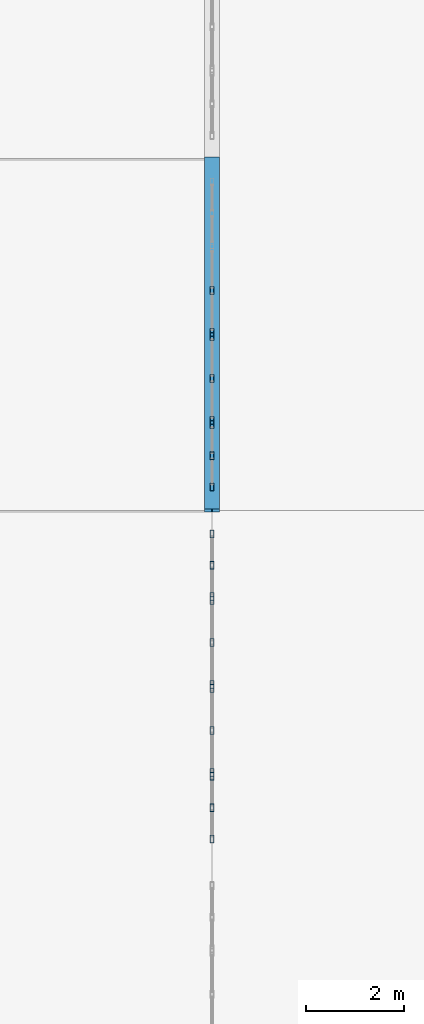
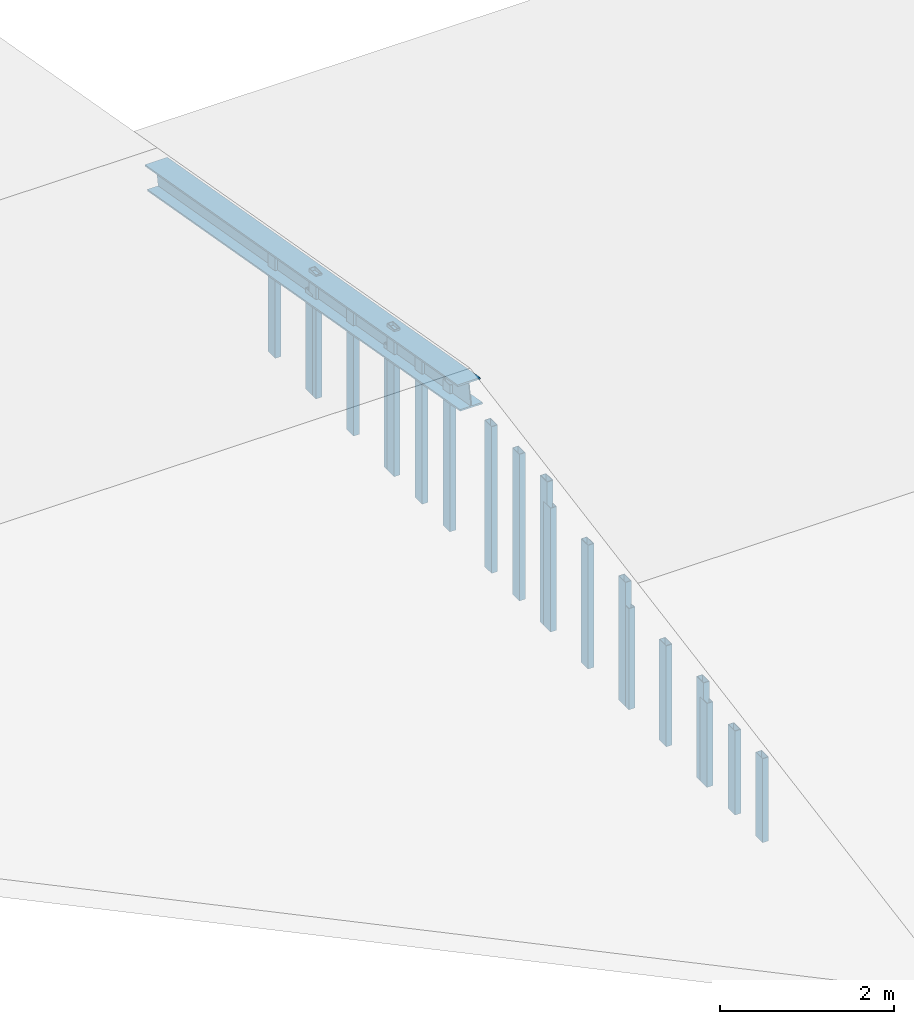
# One storey, part 14 of 39: 20 members, 1 beam, 7 elements without a shape of their own.
"""IFC4 building model written with IfcOpenShell, lengths in metres."""

import ifcopenshell
import ifcopenshell.guid

model = None  # the IFC model being written
_history = None  # IfcOwnerHistory: only IFC2X3 demands one
_inside = {}  # id of a spatial element -> (the spatial element, [elements in it])
_under = {}  # id of a project, library or spatial element -> (it, [spatial elements below it])
_declared = {}  # id of a project -> (the project, [libraries it declares])
_typed = {}  # id of a type object -> (the type object, [elements of that type])
_made_of = {}  # id of a material, layer set ... -> (it, [elements and type objects made of it])


def new_model(schema):
    """Start an empty IFC model of exactly this schema.

    Asked for "IFC4X3", IfcOpenShell would pick the latest addendum, in which some entities
    have other attributes; the version numbers below select the first issue.
    IFC2X3 requires an IfcOwnerHistory on every rooted entity: one is made here for all.
    """
    global model, _history
    if schema == "IFC4X3":
        model = ifcopenshell.file(schema_version=(4, 3, 0, 0))
    else:
        model = ifcopenshell.file(schema=schema)
    _inside.clear()
    _under.clear()
    _declared.clear()
    _typed.clear()
    _made_of.clear()
    _history = None
    if model.schema == "IFC2X3":
        org = make("IfcOrganization", Name="unknown")
        user = make(
            "IfcPersonAndOrganization",
            ThePerson=make("IfcPerson", FamilyName="unknown"),
            TheOrganization=org,
        )
        app = make(
            "IfcApplication",
            ApplicationDeveloper=org,
            Version="unknown",
            ApplicationFullName="unknown",
            ApplicationIdentifier="unknown",
        )
        _history = make(
            "IfcOwnerHistory",
            OwningUser=user,
            OwningApplication=app,
            ChangeAction="ADDED",
            CreationDate=0,
        )
    return model


def make(cls, **values):
    """One entity of the class cls with the attributes given. An attribute that is None is left unset."""
    return model.create_entity(
        cls, **{name: value for name, value in values.items() if value is not None}
    )


def rooted(cls, **values):
    """An entity with a GlobalId (a new one), such as an element, a storey or a relation."""
    return make(cls, GlobalId=ifcopenshell.guid.new(), OwnerHistory=_history, **values)


def si_unit(unit_type, name, prefix=None):
    """IfcSIUnit, for example si_unit("LENGTHUNIT", "METRE", prefix="MILLI")."""
    return make("IfcSIUnit", UnitType=unit_type, Prefix=prefix, Name=name)


def assignment(units):
    """IfcUnitAssignment: the units of a project."""
    return None if units is None else make("IfcUnitAssignment", Units=units)


def point(xyz):
    """IfcCartesianPoint."""
    return None if xyz is None else make("IfcCartesianPoint", Coordinates=xyz)


def direction(xyz):
    """IfcDirection."""
    return None if xyz is None else make("IfcDirection", DirectionRatios=xyz)


def frame(location, z_axis=None, x_axis=None):
    """IfcAxis2Placement3D, a coordinate frame: its origin and axes. An axis left out is left unset."""
    return make(
        "IfcAxis2Placement3D",
        Location=point(location),
        Axis=direction(z_axis),
        RefDirection=direction(x_axis),
    )


def frame_2d(location, x_axis=None):
    """IfcAxis2Placement2D, a coordinate frame in the plane: its origin and x axis."""
    return make(
        "IfcAxis2Placement2D", Location=point(location), RefDirection=direction(x_axis)
    )


def origin():
    """The frame at (0, 0, 0) with its axes left unset."""
    return frame((0.0, 0.0, 0.0))


def origin_2d():
    """The frame at (0, 0) in the plane with its x axis left unset."""
    return frame_2d((0.0, 0.0))


def place(relative_to, where):
    """IfcLocalPlacement: puts the frame where relative to a parent placement (None: the world)."""
    return make(
        "IfcLocalPlacement", PlacementRelTo=relative_to, RelativePlacement=where
    )


def context(
    kind, dimensions, precision=None, world=None, true_north=None, identifier=None
):
    """IfcGeometricRepresentationContext, for example the 3D "Model" context."""
    return make(
        "IfcGeometricRepresentationContext",
        ContextIdentifier=identifier,
        ContextType=kind,
        CoordinateSpaceDimension=dimensions,
        Precision=precision,
        WorldCoordinateSystem=world,
        TrueNorth=true_north,
    )


def subcontext(parent, identifier, kind, view, scale=None):
    """IfcGeometricRepresentationSubContext, for example "Body" below "Model"."""
    return make(
        "IfcGeometricRepresentationSubContext",
        ContextIdentifier=identifier,
        ContextType=kind,
        ParentContext=parent,
        TargetScale=scale,
        TargetView=view,
    )


def project(units=None, contexts=None):
    """IfcProject with its units and contexts."""
    return rooted(
        "IfcProject",
        Name="project",
        RepresentationContexts=contexts,
        UnitsInContext=assignment(units),
    )


def spatial(cls, under=None, at=None, **own):
    """A site, building, storey or space (cls), placed at a placement, below another one or the project."""
    s = rooted(cls, ObjectPlacement=at, **own)
    if under is not None:
        _under.setdefault(under.id(), (under, []))[1].append(s)
    return s


def profile(cls, at=None, kind="AREA", **sizes):
    """A parametric profile (cls). Its sizes go by their IFC names, for example OverallWidth=200.0."""
    return make(cls, ProfileType=kind, Position=at, **sizes)


def hollow_rectangle(**sizes):
    """IfcRectangleHollowProfileDef."""
    return profile("IfcRectangleHollowProfileDef", **sizes)


def i_section(**sizes):
    """IfcIShapeProfileDef."""
    return profile("IfcIShapeProfileDef", **sizes)


def extrude(swept, where, along, depth):
    """IfcExtrudedAreaSolid: the profile swept, set in the frame where, extruded along a direction by depth."""
    return make(
        "IfcExtrudedAreaSolid",
        SweptArea=swept,
        Position=where,
        ExtrudedDirection=direction(along),
        Depth=depth,
    )


def shape(context_of_items, identifier, shape_type, items):
    """IfcShapeRepresentation: the items that make up one representation, for example the "Body"."""
    return make(
        "IfcShapeRepresentation",
        ContextOfItems=context_of_items,
        RepresentationIdentifier=identifier,
        RepresentationType=shape_type,
        Items=items,
    )


def material(Name=None, Category=None):
    """IfcMaterial."""
    return make("IfcMaterial", Name=Name, Category=Category)


def layer(
    of_material, thickness, ventilated=None, Name=None, Category=None, Priority=None
):
    """IfcMaterialLayer: one layer of a wall or slab, of a material (None: an air gap)."""
    return make(
        "IfcMaterialLayer",
        Material=of_material,
        LayerThickness=thickness,
        IsVentilated=ventilated,
        Name=Name,
        Category=Category,
        Priority=Priority,
    )


def layer_set(layers, Name=None):
    """IfcMaterialLayerSet."""
    return make("IfcMaterialLayerSet", MaterialLayers=layers, LayerSetName=Name)


def material_profile(
    of_material, cross_section, Name=None, Category=None, Priority=None
):
    """IfcMaterialProfile: a cross section and its material."""
    return make(
        "IfcMaterialProfile",
        Name=Name,
        Material=of_material,
        Profile=cross_section,
        Priority=Priority,
        Category=Category,
    )


def profile_set(profiles, Name=None, composite=None):
    """IfcMaterialProfileSet."""
    return make(
        "IfcMaterialProfileSet",
        Name=Name,
        MaterialProfiles=profiles,
        CompositeProfile=composite,
    )


def made_of(thing, what):
    """Note that an element or type object is made of a material, layer set ...; save() writes the relation."""
    if what is not None:
        _made_of.setdefault(what.id(), (what, []))[1].append(thing)
    return thing


def type_object(cls, material=None, **own):
    """A type object (cls), such as IfcWallType, which elements share."""
    return made_of(rooted(cls, **own), material)


def element(
    cls,
    number,
    at=None,
    inside=None,
    cuts=None,
    type_object=None,
    material=None,
    context=None,
    identifier="Body",
    shape_type=None,
    held_by="IfcProductDefinitionShape",
    body=None,
    shapes=None,
    **own,
):
    """One element of the class cls, such as IfcWall. Its Tag is "e" and its number.

    at: its placement. inside: the storey or other place that contains it. cuts: it is an
    opening in that element (IfcRelVoidsElement). A single representation is given by context,
    identifier, shape_type and body (its items); several are given by shapes. held_by: the class
    of the entity that holds the representations. save() writes the other relations.
    """
    e = rooted(cls, Tag="e%d" % number, ObjectPlacement=at, **own)
    if body is not None:
        shapes = [shape(context, identifier, shape_type, body)]
    if shapes is not None:
        e.Representation = make(held_by, Representations=shapes)
    if inside is not None:
        _inside.setdefault(inside.id(), (inside, []))[1].append(e)
    if cuts is not None:
        rooted(
            "IfcRelVoidsElement", RelatingBuildingElement=cuts, RelatedOpeningElement=e
        )
    if type_object is not None:
        _typed.setdefault(type_object.id(), (type_object, []))[1].append(e)
    return made_of(e, material)


def aggregate(whole, parts):
    """IfcRelAggregates: a whole, such as a stair, and the parts it consists of."""
    return rooted("IfcRelAggregates", RelatingObject=whole, RelatedObjects=parts)


def save(model, path):
    """Write the relations noted so far, then the file.

    IfcRelAggregates (storeys below a building ...), IfcRelContainedInSpatialStructure (elements
    in a storey), IfcRelDefinesByType, IfcRelAssociatesMaterial and IfcRelDeclares: one each for
    every whole, place, type object, material and project.
    """
    for whole, parts in _under.values():
        aggregate(whole, parts)
    for where, things in _inside.values():
        rooted(
            "IfcRelContainedInSpatialStructure",
            RelatedElements=things,
            RelatingStructure=where,
        )
    for kind, things in _typed.values():
        rooted("IfcRelDefinesByType", RelatedObjects=things, RelatingType=kind)
    for what, things in _made_of.values():
        rooted("IfcRelAssociatesMaterial", RelatedObjects=things, RelatingMaterial=what)
    for by, libraries in _declared.values():
        rooted("IfcRelDeclares", RelatingContext=by, RelatedDefinitions=libraries)
    model.write(path)


model = new_model("IFC4")

# Units and contexts
model_context = context("Model", 3, precision=1e-05, world=origin(), true_north=direction((0.0, 1.0)))
body_context = subcontext(model_context, "Body", "Model", "MODEL_VIEW")
ifc_project = project(units=[si_unit("LENGTHUNIT", "METRE"), si_unit("AREAUNIT", "SQUARE_METRE"), si_unit("VOLUMEUNIT", "CUBIC_METRE"), si_unit("PLANEANGLEUNIT", "RADIAN"), si_unit("MASSUNIT", "GRAM", prefix="KILO"), si_unit("THERMODYNAMICTEMPERATUREUNIT", "KELVIN"), si_unit("POWERUNIT", "WATT")], contexts=[model_context])

# Site, building, storey
site_placement = place(None, origin())
site = spatial("IfcSite", under=ifc_project, at=site_placement, CompositionType="ELEMENT")
building_placement = place(site_placement, origin())
building = spatial("IfcBuilding", under=site, at=building_placement, Name="Kaldorven Railside Theatre", CompositionType="ELEMENT")
storey_placement = place(building_placement, frame((0.0, 0.0, 27.300048828125)))
storey = spatial("IfcBuildingStorey", under=building, at=storey_placement, Name="ROOF", CompositionType="ELEMENT", Elevation=27.300048828125)

# Beam
ifc_material_1 = material(Name="Steel S355", Category="steel")
ifc_material_profile_1 = material_profile(ifc_material_1, i_section(OverallWidth=0.300048828125, OverallDepth=0.340087890625, WebThickness=0.011962890625, FlangeThickness=0.021484375, at=origin_2d()), Name="HEB 340")
ifc_profile_set_1 = profile_set([ifc_material_profile_1], Name="Steel S355")
beam_type = type_object("IfcBeamType", Name="BM-HEB340", PredefinedType="SPANDREL", material=ifc_profile_set_1)
beam_placement = place(storey_placement, frame((137.60009765625, 127.199951171875, 2.181396484375), z_axis=(0.0, 0.984796666739, -0.173711039313), x_axis=(-1.0, 0.0, 0.0)))
element("IfcBeam", 1, at=beam_placement, inside=storey, type_object=beam_type, Name="Backstage Monsoon Roof Rafter RAF-173", PredefinedType="SPANDREL", context=body_context, shape_type="SweptSolid", body=[
    extrude(i_section(OverallWidth=0.300048828125, OverallDepth=0.340087890625, WebThickness=0.011962890625, FlangeThickness=0.021484375, at=origin_2d()), origin(), (0.0, 0.0, 1.0), 7.31103515625),
])

# Curtain wall, members
ifc_material_2 = material(Name="Low-E laminated solar-control glass", Category="glass")
ifc_layer_1 = layer(ifc_material_2, 0.159912109375, Name="Low-E laminated solar-control glass")
ifc_layer_set_1 = layer_set([ifc_layer_1], Name="Low-E laminated solar-control glass")
curtain_wall_type_1 = type_object("IfcCurtainWallType", Name="CWT-61", PredefinedType="USERDEFINED", material=ifc_layer_set_1)
curtain_wall_1_placement = place(storey_placement, origin())
curtain_wall_1 = element("IfcCurtainWall", 2, at=curtain_wall_1_placement, inside=storey, type_object=curtain_wall_type_1, Name="Upper Plant East Gable Clerestory CWG-188", ObjectType="FLUTED GLAZING", PredefinedType="USERDEFINED")
ifc_material_3 = material(Name="Anodised bronze aluminium", Category="aluminium")
ifc_material_profile_2 = material_profile(ifc_material_3, hollow_rectangle(XDim=0.080078125, YDim=0.159912109375, WallThickness=0.00634765625, at=origin_2d()), Name="RHS 160x80x6.3")
ifc_profile_set_2 = profile_set([ifc_material_profile_2], Name="Anodised bronze aluminium")
member_type = type_object("IfcMemberType", Name="CWM-160", PredefinedType="MULLION", material=ifc_profile_set_2)
member_1_placement = place(storey_placement, frame((137.60009765625, 120.47998046875, 0.02001953125), z_axis=(0.0, 0.0, 1.0), x_axis=(-1.0, 0.0, 0.0)))
member_1 = element("IfcMember", 3, at=member_1_placement, type_object=member_type, Name="CWG-188 mullion 1", PredefinedType="MULLION", context=body_context, shape_type="SweptSolid", body=[
    extrude(hollow_rectangle(XDim=0.080078125, YDim=0.159912109375, WallThickness=0.00634765625, at=origin_2d()), origin(), (0.0, 0.0, 1.0), 1.179931640625),
])
member_2_placement = place(storey_placement, frame((137.60009765625, 121.1201171875, 0.02001953125), z_axis=(0.0, 0.0, 1.0), x_axis=(-1.0, 0.0, 0.0)))
member_2 = element("IfcMember", 4, at=member_2_placement, type_object=member_type, Name="CWG-188 mullion 2", PredefinedType="MULLION", context=body_context, shape_type="SweptSolid", body=[
    extrude(hollow_rectangle(XDim=0.080078125, YDim=0.159912109375, WallThickness=0.00634765625, at=origin_2d()), origin(), (0.0, 0.0, 1.0), 1.179931640625),
])
member_3_placement = place(storey_placement, frame((137.60009765625, 121.760009765625, 0.02001953125), z_axis=(0.0, 0.0, 1.0), x_axis=(-1.0, 0.0, 0.0)))
member_3 = element("IfcMember", 5, at=member_3_placement, type_object=member_type, Name="CWG-188 mullion 3", PredefinedType="MULLION", context=body_context, shape_type="SweptSolid", body=[
    extrude(hollow_rectangle(XDim=0.080078125, YDim=0.159912109375, WallThickness=0.00634765625, at=origin_2d()), origin(), (0.0, 0.0, 1.0), 1.179931640625),
])
aggregate(curtain_wall_1, [member_1, member_2, member_3])

ifc_layer_2 = layer(ifc_material_2, 0.159912109375, Name="Low-E laminated solar-control glass")
ifc_layer_set_2 = layer_set([ifc_layer_2], Name="Low-E laminated solar-control glass")
curtain_wall_type_2 = type_object("IfcCurtainWallType", Name="CWT-79", PredefinedType="USERDEFINED", material=ifc_layer_set_2)
curtain_wall_2_placement = place(storey_placement, origin())
curtain_wall_2 = element("IfcCurtainWall", 6, at=curtain_wall_2_placement, inside=storey, type_object=curtain_wall_type_2, Name="Upper Plant East Gable Clerestory CWG-189", ObjectType="FLUTED GLAZING", PredefinedType="USERDEFINED")
member_4_placement = place(storey_placement, frame((137.60009765625, 121.840087890625, 0.02001953125), z_axis=(0.0, 0.0, 1.0), x_axis=(-1.0, 0.0, 0.0)))
member_4 = element("IfcMember", 7, at=member_4_placement, type_object=member_type, Name="CWG-189 mullion 1", PredefinedType="MULLION", context=body_context, shape_type="SweptSolid", body=[
    extrude(hollow_rectangle(XDim=0.080078125, YDim=0.159912109375, WallThickness=0.00634765625, at=origin_2d()), origin(), (0.0, 0.0, 1.0), 1.419921875),
])
member_5_placement = place(storey_placement, frame((137.60009765625, 122.699951171875, 0.02001953125), z_axis=(0.0, 0.0, 1.0), x_axis=(-1.0, 0.0, 0.0)))
member_5 = element("IfcMember", 8, at=member_5_placement, type_object=member_type, Name="CWG-189 mullion 2", PredefinedType="MULLION", context=body_context, shape_type="SweptSolid", body=[
    extrude(hollow_rectangle(XDim=0.080078125, YDim=0.159912109375, WallThickness=0.00634765625, at=origin_2d()), origin(), (0.0, 0.0, 1.0), 1.419921875),
])
member_6_placement = place(storey_placement, frame((137.60009765625, 123.56005859375, 0.02001953125), z_axis=(0.0, 0.0, 1.0), x_axis=(-1.0, 0.0, 0.0)))
member_6 = element("IfcMember", 9, at=member_6_placement, type_object=member_type, Name="CWG-189 mullion 3", PredefinedType="MULLION", context=body_context, shape_type="SweptSolid", body=[
    extrude(hollow_rectangle(XDim=0.080078125, YDim=0.159912109375, WallThickness=0.00634765625, at=origin_2d()), origin(), (0.0, 0.0, 1.0), 1.419921875),
])
aggregate(curtain_wall_2, [member_4, member_5, member_6])

ifc_layer_3 = layer(ifc_material_2, 0.159912109375, Name="Low-E laminated solar-control glass")
ifc_layer_set_3 = layer_set([ifc_layer_3], Name="Low-E laminated solar-control glass")
curtain_wall_type_3 = type_object("IfcCurtainWallType", Name="CWT-80", PredefinedType="USERDEFINED", material=ifc_layer_set_3)
curtain_wall_3_placement = place(storey_placement, origin())
curtain_wall_3 = element("IfcCurtainWall", 10, at=curtain_wall_3_placement, inside=storey, type_object=curtain_wall_type_3, Name="Upper Plant East Gable Clerestory CWG-190", ObjectType="FLUTED GLAZING", PredefinedType="USERDEFINED")
member_7_placement = place(storey_placement, frame((137.60009765625, 123.639892578125, 0.02001953125), z_axis=(0.0, 0.0, 1.0), x_axis=(-1.0, 0.0, 0.0)))
member_7 = element("IfcMember", 11, at=member_7_placement, type_object=member_type, Name="CWG-190 mullion 1", PredefinedType="MULLION", context=body_context, shape_type="SweptSolid", body=[
    extrude(hollow_rectangle(XDim=0.080078125, YDim=0.159912109375, WallThickness=0.00634765625, at=origin_2d()), origin(), (0.0, 0.0, 1.0), 1.739990234375),
])
member_8_placement = place(storey_placement, frame((137.60009765625, 124.5, 0.02001953125), z_axis=(0.0, 0.0, 1.0), x_axis=(-1.0, 0.0, 0.0)))
member_8 = element("IfcMember", 12, at=member_8_placement, type_object=member_type, Name="CWG-190 mullion 2", PredefinedType="MULLION", context=body_context, shape_type="SweptSolid", body=[
    extrude(hollow_rectangle(XDim=0.080078125, YDim=0.159912109375, WallThickness=0.00634765625, at=origin_2d()), origin(), (0.0, 0.0, 1.0), 1.739990234375),
])
member_9_placement = place(storey_placement, frame((137.60009765625, 125.360107421875, 0.02001953125), z_axis=(0.0, 0.0, 1.0), x_axis=(-1.0, 0.0, 0.0)))
member_9 = element("IfcMember", 13, at=member_9_placement, type_object=member_type, Name="CWG-190 mullion 3", PredefinedType="MULLION", context=body_context, shape_type="SweptSolid", body=[
    extrude(hollow_rectangle(XDim=0.080078125, YDim=0.159912109375, WallThickness=0.00634765625, at=origin_2d()), origin(), (0.0, 0.0, 1.0), 1.739990234375),
])
aggregate(curtain_wall_3, [member_7, member_8, member_9])

ifc_layer_4 = layer(ifc_material_2, 0.159912109375, Name="Low-E laminated solar-control glass")
ifc_layer_set_4 = layer_set([ifc_layer_4], Name="Low-E laminated solar-control glass")
curtain_wall_type_4 = type_object("IfcCurtainWallType", Name="CWT-81", PredefinedType="USERDEFINED", material=ifc_layer_set_4)
curtain_wall_4_placement = place(storey_placement, origin())
curtain_wall_4 = element("IfcCurtainWall", 14, at=curtain_wall_4_placement, inside=storey, type_object=curtain_wall_type_4, Name="Upper Plant East Gable Clerestory CWG-191", ObjectType="FLUTED GLAZING", PredefinedType="USERDEFINED")
member_10_placement = place(storey_placement, frame((137.60009765625, 125.43994140625, 0.02001953125), z_axis=(0.0, 0.0, 1.0), x_axis=(-1.0, 0.0, 0.0)))
member_10 = element("IfcMember", 15, at=member_10_placement, type_object=member_type, Name="CWG-191 mullion 1", PredefinedType="MULLION", context=body_context, shape_type="SweptSolid", body=[
    extrude(hollow_rectangle(XDim=0.080078125, YDim=0.159912109375, WallThickness=0.00634765625, at=origin_2d()), origin(), (0.0, 0.0, 1.0), 2.059814453125),
])
member_11_placement = place(storey_placement, frame((137.60009765625, 126.080078125, 0.02001953125), z_axis=(0.0, 0.0, 1.0), x_axis=(-1.0, 0.0, 0.0)))
member_11 = element("IfcMember", 16, at=member_11_placement, type_object=member_type, Name="CWG-191 mullion 2", PredefinedType="MULLION", context=body_context, shape_type="SweptSolid", body=[
    extrude(hollow_rectangle(XDim=0.080078125, YDim=0.159912109375, WallThickness=0.00634765625, at=origin_2d()), origin(), (0.0, 0.0, 1.0), 2.059814453125),
])
member_12_placement = place(storey_placement, frame((137.60009765625, 126.719970703125, 0.02001953125), z_axis=(0.0, 0.0, 1.0), x_axis=(-1.0, 0.0, 0.0)))
member_12 = element("IfcMember", 17, at=member_12_placement, type_object=member_type, Name="CWG-191 mullion 3", PredefinedType="MULLION", context=body_context, shape_type="SweptSolid", body=[
    extrude(hollow_rectangle(XDim=0.080078125, YDim=0.159912109375, WallThickness=0.00634765625, at=origin_2d()), origin(), (0.0, 0.0, 1.0), 2.059814453125),
])
aggregate(curtain_wall_4, [member_10, member_11, member_12])

curtain_wall_5_placement = place(storey_placement, origin())
curtain_wall_5 = element("IfcCurtainWall", 18, at=curtain_wall_5_placement, inside=storey, type_object=curtain_wall_type_4, Name="Upper Plant East Gable Clerestory CWG-192", ObjectType="FLUTED GLAZING", PredefinedType="USERDEFINED")
member_13_placement = place(storey_placement, frame((137.60009765625, 127.679931640625, 0.02001953125), z_axis=(0.0, 0.0, 1.0), x_axis=(-1.0, 0.0, 0.0)))
member_13 = element("IfcMember", 19, at=member_13_placement, type_object=member_type, Name="CWG-192 mullion 1", PredefinedType="MULLION", context=body_context, shape_type="SweptSolid", body=[
    extrude(hollow_rectangle(XDim=0.080078125, YDim=0.159912109375, WallThickness=0.00634765625, at=origin_2d()), origin(), (0.0, 0.0, 1.0), 2.059814453125),
])
member_14_placement = place(storey_placement, frame((137.60009765625, 128.320068359375, 0.02001953125), z_axis=(0.0, 0.0, 1.0), x_axis=(-1.0, 0.0, 0.0)))
member_14 = element("IfcMember", 20, at=member_14_placement, type_object=member_type, Name="CWG-192 mullion 2", PredefinedType="MULLION", context=body_context, shape_type="SweptSolid", body=[
    extrude(hollow_rectangle(XDim=0.080078125, YDim=0.159912109375, WallThickness=0.00634765625, at=origin_2d()), origin(), (0.0, 0.0, 1.0), 2.059814453125),
])
member_15_placement = place(storey_placement, frame((137.60009765625, 128.9599609375, 0.02001953125), z_axis=(0.0, 0.0, 1.0), x_axis=(-1.0, 0.0, 0.0)))
member_15 = element("IfcMember", 21, at=member_15_placement, type_object=member_type, Name="CWG-192 mullion 3", PredefinedType="MULLION", context=body_context, shape_type="SweptSolid", body=[
    extrude(hollow_rectangle(XDim=0.080078125, YDim=0.159912109375, WallThickness=0.00634765625, at=origin_2d()), origin(), (0.0, 0.0, 1.0), 2.059814453125),
])
aggregate(curtain_wall_5, [member_13, member_14, member_15])

curtain_wall_6_placement = place(storey_placement, origin())
curtain_wall_6 = element("IfcCurtainWall", 22, at=curtain_wall_6_placement, inside=storey, type_object=curtain_wall_type_3, Name="Upper Plant East Gable Clerestory CWG-193", ObjectType="FLUTED GLAZING", PredefinedType="USERDEFINED")
member_16_placement = place(storey_placement, frame((137.60009765625, 129.0400390625, 0.02001953125), z_axis=(0.0, 0.0, 1.0), x_axis=(-1.0, 0.0, 0.0)))
member_16 = element("IfcMember", 23, at=member_16_placement, type_object=member_type, Name="CWG-193 mullion 1", PredefinedType="MULLION", context=body_context, shape_type="SweptSolid", body=[
    extrude(hollow_rectangle(XDim=0.080078125, YDim=0.159912109375, WallThickness=0.00634765625, at=origin_2d()), origin(), (0.0, 0.0, 1.0), 1.739990234375),
])
member_17_placement = place(storey_placement, frame((137.60009765625, 129.89990234375, 0.02001953125), z_axis=(0.0, 0.0, 1.0), x_axis=(-1.0, 0.0, 0.0)))
member_17 = element("IfcMember", 24, at=member_17_placement, type_object=member_type, Name="CWG-193 mullion 2", PredefinedType="MULLION", context=body_context, shape_type="SweptSolid", body=[
    extrude(hollow_rectangle(XDim=0.080078125, YDim=0.159912109375, WallThickness=0.00634765625, at=origin_2d()), origin(), (0.0, 0.0, 1.0), 1.739990234375),
])
member_18_placement = place(storey_placement, frame((137.60009765625, 130.760009765625, 0.02001953125), z_axis=(0.0, 0.0, 1.0), x_axis=(-1.0, 0.0, 0.0)))
member_18 = element("IfcMember", 25, at=member_18_placement, type_object=member_type, Name="CWG-193 mullion 3", PredefinedType="MULLION", context=body_context, shape_type="SweptSolid", body=[
    extrude(hollow_rectangle(XDim=0.080078125, YDim=0.159912109375, WallThickness=0.00634765625, at=origin_2d()), origin(), (0.0, 0.0, 1.0), 1.739990234375),
])
aggregate(curtain_wall_6, [member_16, member_17, member_18])

curtain_wall_7_placement = place(storey_placement, origin())
curtain_wall_7 = element("IfcCurtainWall", 26, at=curtain_wall_7_placement, inside=storey, type_object=curtain_wall_type_2, Name="Upper Plant East Gable Clerestory CWG-194", ObjectType="FLUTED GLAZING", PredefinedType="USERDEFINED")
member_19_placement = place(storey_placement, frame((137.60009765625, 130.840087890625, 0.02001953125), z_axis=(0.0, 0.0, 1.0), x_axis=(-1.0, 0.0, 0.0)))
member_19 = element("IfcMember", 27, at=member_19_placement, type_object=member_type, Name="CWG-194 mullion 1", PredefinedType="MULLION", context=body_context, shape_type="SweptSolid", body=[
    extrude(hollow_rectangle(XDim=0.080078125, YDim=0.159912109375, WallThickness=0.00634765625, at=origin_2d()), origin(), (0.0, 0.0, 1.0), 1.419921875),
])
member_20_placement = place(storey_placement, frame((137.60009765625, 131.699951171875, 0.02001953125), z_axis=(0.0, 0.0, 1.0), x_axis=(-1.0, 0.0, 0.0)))
member_20 = element("IfcMember", 28, at=member_20_placement, type_object=member_type, Name="CWG-194 mullion 2", PredefinedType="MULLION", context=body_context, shape_type="SweptSolid", body=[
    extrude(hollow_rectangle(XDim=0.080078125, YDim=0.159912109375, WallThickness=0.00634765625, at=origin_2d()), origin(), (0.0, 0.0, 1.0), 1.419921875),
])
aggregate(curtain_wall_7, [member_19, member_20])

save(model, "model.ifc")
